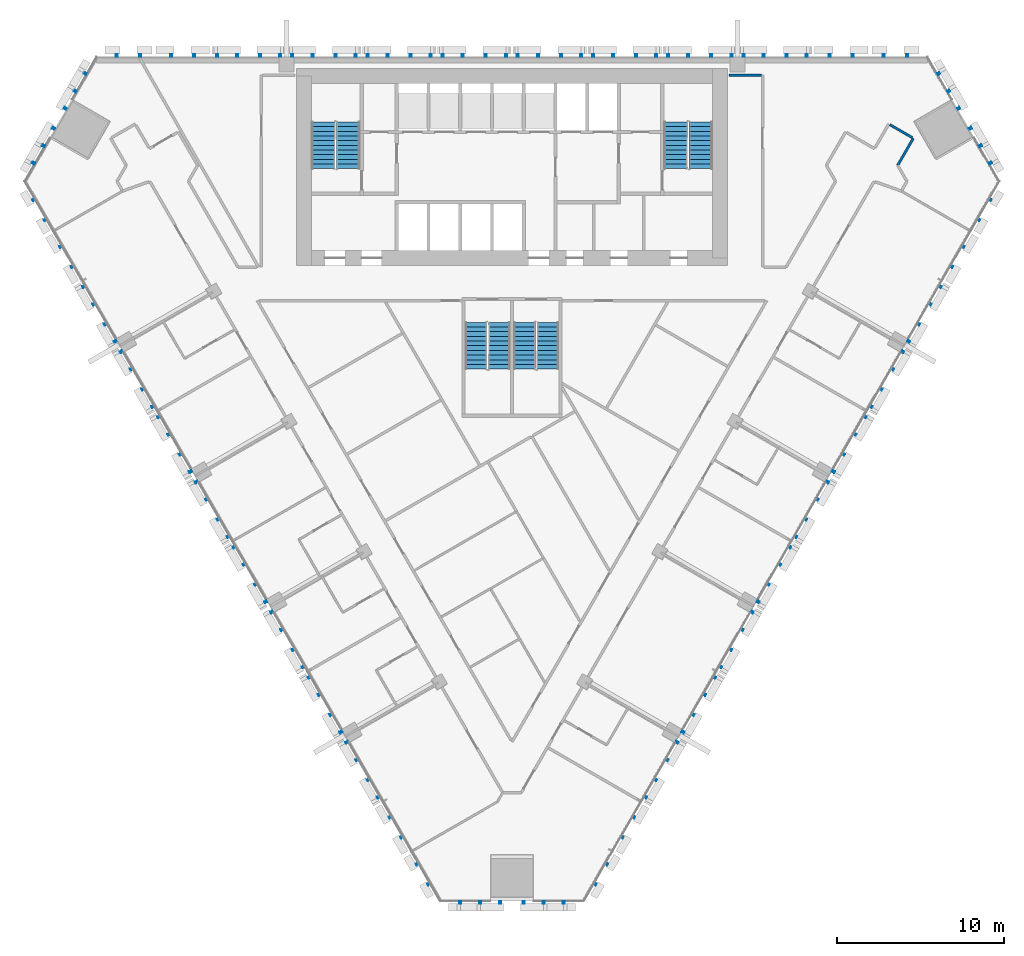
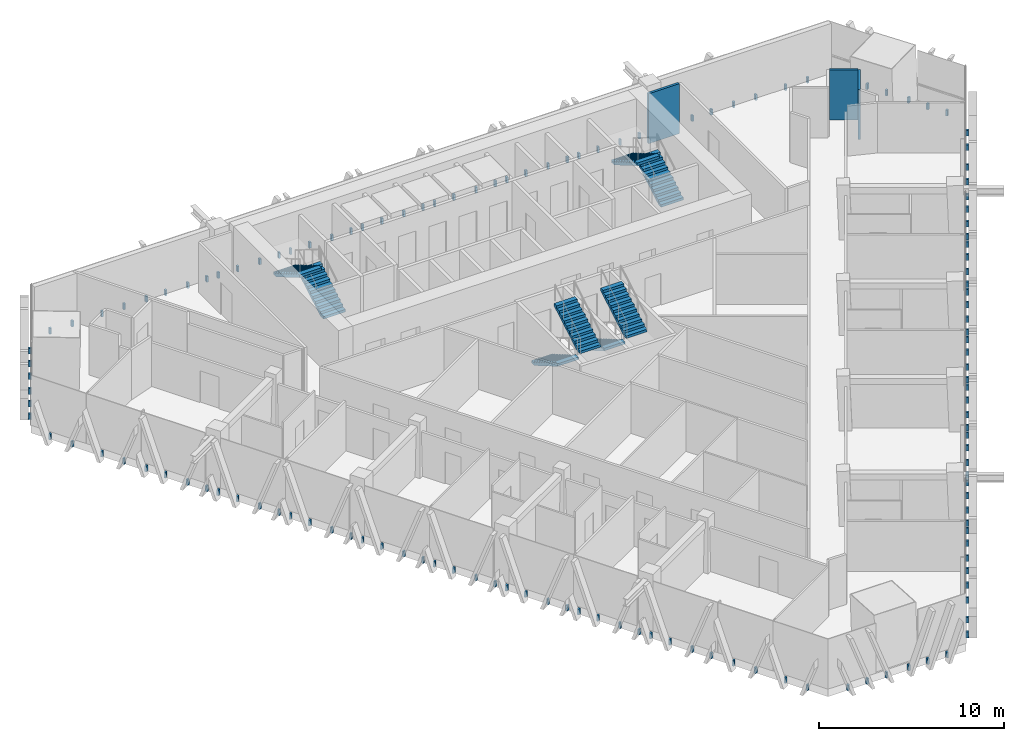
# One storey, part 12 of 15: 8 stair flights, 6 discrete accessories, 3 walls, 4 elements without a shape of their own.
"""IFC4 building model written with IfcOpenShell, lengths in metres."""

from ifc_helpers import new_model, si_unit, direction, frame, frame_2d, origin, place, context, subcontext, project, spatial, polyline, rectangle, outline, extrude, source, transform, mapped, material, layer, layer_set, type_object, element, aggregate, save


model = new_model("IFC4")

# Units and contexts
model_context = context("Model", 3, precision=1e-05, world=origin(), true_north=direction((0.0, 1.0)))
body_context = subcontext(model_context, "Body", "Model", "MODEL_VIEW")
ifc_project = project(units=[si_unit("LENGTHUNIT", "METRE"), si_unit("AREAUNIT", "SQUARE_METRE"), si_unit("VOLUMEUNIT", "CUBIC_METRE"), si_unit("PLANEANGLEUNIT", "RADIAN"), si_unit("MASSUNIT", "GRAM", prefix="KILO")], contexts=[model_context])

# Site, building, storey
site_placement = place(None, origin())
site = spatial("IfcSite", under=ifc_project, at=site_placement, CompositionType="ELEMENT")
building_placement = place(site_placement, origin())
building = spatial("IfcBuilding", under=site, at=building_placement, Name="Altiplano Prism Tower", CompositionType="ELEMENT")
storey_placement = place(building_placement, frame((0.0, 0.0, 91.800048828125)))
storey = spatial("IfcBuildingStorey", under=building, at=storey_placement, Name="L23", CompositionType="ELEMENT", Elevation=91.800048828125)

# Walls
ifc_material_1 = material(Name="Plasterboard on steel stud", Category="steel")
ifc_layer = layer(ifc_material_1, 0.14990234375)
ifc_layer_set = layer_set([ifc_layer], Name="Plasterboard on steel stud")
wall_type = type_object("IfcWallType", Name="Partition 150 corridor", PredefinedType="PARTITIONING", material=ifc_layer_set)
wall_1_placement = place(storey_placement, frame((108.089111328125, 98.5, 0.0), z_axis=(0.0, 0.0, 1.0), x_axis=(0.499951854219, 0.86605319898, 0.0)))
element("IfcWall", 1, at=wall_1_placement, inside=storey, type_object=wall_type, Name="Partition P06 L23 020", PredefinedType="PARTITIONING", context=body_context, shape_type="SweptSolid", body=[
    extrude(rectangle(XDim=1.873291015625, YDim=0.14990234375, at=frame_2d((0.9365234375, 0.0))), origin(), (0.0, 0.0, 1.0), 3.300048828125),
])
wall_2_placement = place(storey_placement, frame((108.960693359375, 100.15966796875, 0.0), z_axis=(0.0, 0.0, 1.0), x_axis=(-0.865975732936, 0.500086022567, 0.0)))
element("IfcWall", 2, at=wall_2_placement, inside=storey, type_object=wall_type, Name="Partition P06 L23 021", PredefinedType="PARTITIONING", context=body_context, shape_type="SweptSolid", body=[
    extrude(rectangle(XDim=1.550048828125, YDim=0.14990234375, at=frame_2d((0.77490234375, 0.0))), origin(), (0.0, 0.0, 1.0), 3.300048828125),
])
wall_3_placement = place(storey_placement, frame((99.925048828125, 103.89990234375, 0.0), z_axis=(0.0, 0.0, 1.0), x_axis=(-1.0, 0.0, 0.0)))
element("IfcWall", 3, at=wall_3_placement, inside=storey, type_object=wall_type, Name="Partition P06 L23 029", PredefinedType="PARTITIONING", context=body_context, shape_type="SweptSolid", body=[
    extrude(rectangle(XDim=1.925048828125, YDim=0.14990234375, at=frame_2d((0.96240234375, 0.0))), origin(), (0.0, 0.0, 1.0), 3.300048828125),
])

# Stair, stair flights
ifc_material_2 = material(Name="Concrete C40/50", Category="concrete")
stair_type_1 = type_object("IfcStairType", Name="Exit stair 1400", PredefinedType="HALF_TURN_STAIR", material=ifc_material_2)
stair_1_placement = place(storey_placement, origin())
stair_1 = element("IfcStair", 4, at=stair_1_placement, inside=storey, type_object=stair_type_1, Name="L23 Exit Stair 1", PredefinedType="HALF_TURN_STAIR")
stair_flight_type = type_object("IfcStairFlightType", Name="Stair flight concrete 150", PredefinedType="STRAIGHT", material=ifc_material_2)
stair_flight_1_placement = place(storey_placement, frame((75.199951171875, 98.300048828125, 0.0), z_axis=(0.0, 0.0, 1.0), x_axis=(0.0, 1.0, 0.0)))
stair_flight_1 = element("IfcStairFlight", 5, at=stair_flight_1_placement, type_object=stair_flight_type, Name="ST1 flight 1", NumberOfRisers=11, NumberOfTreads=10, PredefinedType="STRAIGHT", RiserHeight=0.163636364, TreadLength=0.28, context=body_context, shape_type="SweptSolid", body=[
    extrude(outline(polyline([(0.0, 0.0), (0.0, 0.16357421875), (0.280029296875, 0.16357421875), (0.280029296875, 0.327392578125), (0.56005859375, 0.327392578125), (0.56005859375, 0.490966796875), (0.840087890625, 0.490966796875), (0.840087890625, 0.654541015625), (1.1201171875, 0.654541015625), (1.1201171875, 0.818115234375), (1.39990234375, 0.818115234375), (1.39990234375, 0.98193359375), (1.679931640625, 0.98193359375), (1.679931640625, 1.1455078125), (1.9599609375, 1.1455078125), (1.9599609375, 1.30908203125), (2.239990234375, 1.30908203125), (2.239990234375, 1.47265625), (2.52001953125, 1.47265625), (2.52001953125, 1.636474609375), (2.800048828125, 1.636474609375), (2.800048828125, 1.800048828125), (2.800048828125, 1.462646484375), (0.297119140625, 0.0), (0.0, 0.0)])), frame((0.0, 0.699951171875, 0.0), z_axis=(0.0, -1.0, 0.0), x_axis=(1.0, 0.0, 0.0)), (0.0, 0.0, 1.0), 1.39990234375),
])
stair_flight_2_placement = place(storey_placement, frame((73.699951171875, 101.10009765625, 1.800048828125), z_axis=(0.0, 0.0, 1.0), x_axis=(0.0, -1.0, 0.0)))
stair_flight_2 = element("IfcStairFlight", 6, at=stair_flight_2_placement, type_object=stair_flight_type, Name="ST1 flight 2", NumberOfRisers=11, NumberOfTreads=10, PredefinedType="STRAIGHT", RiserHeight=0.163636364, TreadLength=0.28, context=body_context, shape_type="SweptSolid", body=[
    extrude(outline(polyline([(0.0, 0.0), (0.0, 0.16357421875), (0.280029296875, 0.16357421875), (0.280029296875, 0.327392578125), (0.56005859375, 0.327392578125), (0.56005859375, 0.490966796875), (0.840087890625, 0.490966796875), (0.840087890625, 0.654541015625), (1.1201171875, 0.654541015625), (1.1201171875, 0.818115234375), (1.39990234375, 0.818115234375), (1.39990234375, 0.98193359375), (1.679931640625, 0.98193359375), (1.679931640625, 1.1455078125), (1.9599609375, 1.1455078125), (1.9599609375, 1.30908203125), (2.239990234375, 1.30908203125), (2.239990234375, 1.47265625), (2.52001953125, 1.47265625), (2.52001953125, 1.636474609375), (2.800048828125, 1.636474609375), (2.800048828125, 1.800048828125), (2.800048828125, 1.462646484375), (0.297119140625, 0.0), (0.0, 0.0)])), frame((0.0, 0.699951171875, 0.0), z_axis=(0.0, -1.0, 0.0), x_axis=(1.0, 0.0, 0.0)), (0.0, 0.0, 1.0), 1.39990234375),
])
aggregate(stair_1, [stair_flight_1, stair_flight_2])

stair_2_placement = place(storey_placement, origin())
stair_2 = element("IfcStair", 7, at=stair_2_placement, inside=storey, type_object=stair_type_1, Name="L23 Exit Stair 2", PredefinedType="HALF_TURN_STAIR")
stair_flight_3_placement = place(storey_placement, frame((96.300048828125, 98.300048828125, 0.0), z_axis=(0.0, 0.0, 1.0), x_axis=(0.0, 1.0, 0.0)))
stair_flight_3 = element("IfcStairFlight", 8, at=stair_flight_3_placement, type_object=stair_flight_type, Name="ST2 flight 1", NumberOfRisers=11, NumberOfTreads=10, PredefinedType="STRAIGHT", RiserHeight=0.163636364, TreadLength=0.28, context=body_context, shape_type="SweptSolid", body=[
    extrude(outline(polyline([(0.0, 0.0), (0.0, 0.16357421875), (0.280029296875, 0.16357421875), (0.280029296875, 0.327392578125), (0.56005859375, 0.327392578125), (0.56005859375, 0.490966796875), (0.840087890625, 0.490966796875), (0.840087890625, 0.654541015625), (1.1201171875, 0.654541015625), (1.1201171875, 0.818115234375), (1.39990234375, 0.818115234375), (1.39990234375, 0.98193359375), (1.679931640625, 0.98193359375), (1.679931640625, 1.1455078125), (1.9599609375, 1.1455078125), (1.9599609375, 1.30908203125), (2.239990234375, 1.30908203125), (2.239990234375, 1.47265625), (2.52001953125, 1.47265625), (2.52001953125, 1.636474609375), (2.800048828125, 1.636474609375), (2.800048828125, 1.800048828125), (2.800048828125, 1.462646484375), (0.297119140625, 0.0), (0.0, 0.0)])), frame((0.0, 0.699951171875, 0.0), z_axis=(0.0, -1.0, 0.0), x_axis=(1.0, 0.0, 0.0)), (0.0, 0.0, 1.0), 1.39990234375),
])
stair_flight_4_placement = place(storey_placement, frame((94.800048828125, 101.10009765625, 1.800048828125), z_axis=(0.0, 0.0, 1.0), x_axis=(0.0, -1.0, 0.0)))
stair_flight_4 = element("IfcStairFlight", 9, at=stair_flight_4_placement, type_object=stair_flight_type, Name="ST2 flight 2", NumberOfRisers=11, NumberOfTreads=10, PredefinedType="STRAIGHT", RiserHeight=0.163636364, TreadLength=0.28, context=body_context, shape_type="SweptSolid", body=[
    extrude(outline(polyline([(0.0, 0.0), (0.0, 0.16357421875), (0.280029296875, 0.16357421875), (0.280029296875, 0.327392578125), (0.56005859375, 0.327392578125), (0.56005859375, 0.490966796875), (0.840087890625, 0.490966796875), (0.840087890625, 0.654541015625), (1.1201171875, 0.654541015625), (1.1201171875, 0.818115234375), (1.39990234375, 0.818115234375), (1.39990234375, 0.98193359375), (1.679931640625, 0.98193359375), (1.679931640625, 1.1455078125), (1.9599609375, 1.1455078125), (1.9599609375, 1.30908203125), (2.239990234375, 1.30908203125), (2.239990234375, 1.47265625), (2.52001953125, 1.47265625), (2.52001953125, 1.636474609375), (2.800048828125, 1.636474609375), (2.800048828125, 1.800048828125), (2.800048828125, 1.462646484375), (0.297119140625, 0.0), (0.0, 0.0)])), frame((0.0, 0.699951171875, 0.0), z_axis=(0.0, -1.0, 0.0), x_axis=(1.0, 0.0, 0.0)), (0.0, 0.0, 1.0), 1.39990234375),
])
aggregate(stair_2, [stair_flight_3, stair_flight_4])

stair_type_2 = type_object("IfcStairType", Name="Exit stair 1300", PredefinedType="HALF_TURN_STAIR", material=ifc_material_2)
stair_3_placement = place(storey_placement, origin())
stair_3 = element("IfcStair", 10, at=stair_3_placement, inside=storey, type_object=stair_type_2, Name="L23 Exit Stair 3A", PredefinedType="HALF_TURN_STAIR")
stair_flight_5_placement = place(storey_placement, frame((82.85009765625, 89.10009765625, 0.0), z_axis=(0.0, 0.0, 1.0), x_axis=(0.0, -1.0, 0.0)))
stair_flight_5 = element("IfcStairFlight", 11, at=stair_flight_5_placement, type_object=stair_flight_type, Name="ST3A flight 1", NumberOfRisers=11, NumberOfTreads=10, PredefinedType="STRAIGHT", RiserHeight=0.163636364, TreadLength=0.28, context=body_context, shape_type="SweptSolid", body=[
    extrude(outline(polyline([(0.0, 0.0), (0.0, 0.16357421875), (0.280029296875, 0.16357421875), (0.280029296875, 0.327392578125), (0.56005859375, 0.327392578125), (0.56005859375, 0.490966796875), (0.840087890625, 0.490966796875), (0.840087890625, 0.654541015625), (1.1201171875, 0.654541015625), (1.1201171875, 0.818115234375), (1.39990234375, 0.818115234375), (1.39990234375, 0.98193359375), (1.679931640625, 0.98193359375), (1.679931640625, 1.1455078125), (1.9599609375, 1.1455078125), (1.9599609375, 1.30908203125), (2.239990234375, 1.30908203125), (2.239990234375, 1.47265625), (2.52001953125, 1.47265625), (2.52001953125, 1.636474609375), (2.800048828125, 1.636474609375), (2.800048828125, 1.800048828125), (2.800048828125, 1.462646484375), (0.297119140625, 0.0), (0.0, 0.0)])), frame((0.0, 0.64990234375, 0.0), z_axis=(0.0, -1.0, 0.0), x_axis=(1.0, 0.0, 0.0)), (0.0, 0.0, 1.0), 1.300048828125),
])
stair_flight_6_placement = place(storey_placement, frame((84.25, 86.300048828125, 1.800048828125), z_axis=(0.0, 0.0, 1.0), x_axis=(0.0, 1.0, 0.0)))
stair_flight_6 = element("IfcStairFlight", 12, at=stair_flight_6_placement, type_object=stair_flight_type, Name="ST3A flight 2", NumberOfRisers=11, NumberOfTreads=10, PredefinedType="STRAIGHT", RiserHeight=0.163636364, TreadLength=0.28, context=body_context, shape_type="SweptSolid", body=[
    extrude(outline(polyline([(0.0, 0.0), (0.0, 0.16357421875), (0.280029296875, 0.16357421875), (0.280029296875, 0.327392578125), (0.56005859375, 0.327392578125), (0.56005859375, 0.490966796875), (0.840087890625, 0.490966796875), (0.840087890625, 0.654541015625), (1.1201171875, 0.654541015625), (1.1201171875, 0.818115234375), (1.39990234375, 0.818115234375), (1.39990234375, 0.98193359375), (1.679931640625, 0.98193359375), (1.679931640625, 1.1455078125), (1.9599609375, 1.1455078125), (1.9599609375, 1.30908203125), (2.239990234375, 1.30908203125), (2.239990234375, 1.47265625), (2.52001953125, 1.47265625), (2.52001953125, 1.636474609375), (2.800048828125, 1.636474609375), (2.800048828125, 1.800048828125), (2.800048828125, 1.462646484375), (0.297119140625, 0.0), (0.0, 0.0)])), frame((0.0, 0.64990234375, 0.0), z_axis=(0.0, -1.0, 0.0), x_axis=(1.0, 0.0, 0.0)), (0.0, 0.0, 1.0), 1.300048828125),
])
aggregate(stair_3, [stair_flight_5, stair_flight_6])

stair_4_placement = place(storey_placement, origin())
stair_4 = element("IfcStair", 13, at=stair_4_placement, inside=storey, type_object=stair_type_2, Name="L23 Exit Stair 3B", PredefinedType="HALF_TURN_STAIR")
stair_flight_7_placement = place(storey_placement, frame((85.75, 89.10009765625, 0.0), z_axis=(0.0, 0.0, 1.0), x_axis=(0.0, -1.0, 0.0)))
stair_flight_7 = element("IfcStairFlight", 14, at=stair_flight_7_placement, type_object=stair_flight_type, Name="ST3B flight 1", NumberOfRisers=11, NumberOfTreads=10, PredefinedType="STRAIGHT", RiserHeight=0.163636364, TreadLength=0.28, context=body_context, shape_type="SweptSolid", body=[
    extrude(outline(polyline([(0.0, 0.0), (0.0, 0.16357421875), (0.280029296875, 0.16357421875), (0.280029296875, 0.327392578125), (0.56005859375, 0.327392578125), (0.56005859375, 0.490966796875), (0.840087890625, 0.490966796875), (0.840087890625, 0.654541015625), (1.1201171875, 0.654541015625), (1.1201171875, 0.818115234375), (1.39990234375, 0.818115234375), (1.39990234375, 0.98193359375), (1.679931640625, 0.98193359375), (1.679931640625, 1.1455078125), (1.9599609375, 1.1455078125), (1.9599609375, 1.30908203125), (2.239990234375, 1.30908203125), (2.239990234375, 1.47265625), (2.52001953125, 1.47265625), (2.52001953125, 1.636474609375), (2.800048828125, 1.636474609375), (2.800048828125, 1.800048828125), (2.800048828125, 1.462646484375), (0.297119140625, 0.0), (0.0, 0.0)])), frame((0.0, 0.64990234375, 0.0), z_axis=(0.0, -1.0, 0.0), x_axis=(1.0, 0.0, 0.0)), (0.0, 0.0, 1.0), 1.300048828125),
])
stair_flight_8_placement = place(storey_placement, frame((87.14990234375, 86.300048828125, 1.800048828125), z_axis=(0.0, 0.0, 1.0), x_axis=(0.0, 1.0, 0.0)))
stair_flight_8 = element("IfcStairFlight", 15, at=stair_flight_8_placement, type_object=stair_flight_type, Name="ST3B flight 2", NumberOfRisers=11, NumberOfTreads=10, PredefinedType="STRAIGHT", RiserHeight=0.163636364, TreadLength=0.28, context=body_context, shape_type="SweptSolid", body=[
    extrude(outline(polyline([(0.0, 0.0), (0.0, 0.16357421875), (0.280029296875, 0.16357421875), (0.280029296875, 0.327392578125), (0.56005859375, 0.327392578125), (0.56005859375, 0.490966796875), (0.840087890625, 0.490966796875), (0.840087890625, 0.654541015625), (1.1201171875, 0.654541015625), (1.1201171875, 0.818115234375), (1.39990234375, 0.818115234375), (1.39990234375, 0.98193359375), (1.679931640625, 0.98193359375), (1.679931640625, 1.1455078125), (1.9599609375, 1.1455078125), (1.9599609375, 1.30908203125), (2.239990234375, 1.30908203125), (2.239990234375, 1.47265625), (2.52001953125, 1.47265625), (2.52001953125, 1.636474609375), (2.800048828125, 1.636474609375), (2.800048828125, 1.800048828125), (2.800048828125, 1.462646484375), (0.297119140625, 0.0), (0.0, 0.0)])), frame((0.0, 0.64990234375, 0.0), z_axis=(0.0, -1.0, 0.0), x_axis=(1.0, 0.0, 0.0)), (0.0, 0.0, 1.0), 1.300048828125),
])
aggregate(stair_4, [stair_flight_7, stair_flight_8])

# Discrete accessories
ifc_material_3 = material(Name="Stainless steel", Category="steel")
discrete_accessory_type = type_object("IfcDiscreteAccessoryType", Name="Stone fin fixing prongs", PredefinedType="USERDEFINED", material=ifc_material_3)
shared_shape_1 = source(origin(), body_context, "Body", "SweptSolid", [
    extrude(outline(polyline([(-0.7509765625, 0.06005859375), (-0.631103515625, 0.06005859375), (-0.631103515625, 0.43994140625), (-0.7509765625, 0.43994140625), (-0.7509765625, 0.06005859375)])), frame((0.0, 0.0, 0.0), z_axis=(0.0, -1.0, 0.0), x_axis=(1.0, 0.0, 0.0)), (0.0, 0.0, 1.0), 0.14990234375),
    extrude(outline(polyline([(0.631103515625, 0.06005859375), (0.7509765625, 0.06005859375), (0.7509765625, 0.43994140625), (0.631103515625, 0.43994140625), (0.631103515625, 0.06005859375)])), frame((0.0, 0.0, 0.0), z_axis=(0.0, -1.0, 0.0), x_axis=(1.0, 0.0, 0.0)), (0.0, 0.0, 1.0), 0.14990234375),
])
shared_shape_2 = source(origin(), body_context, "Body", "SweptSolid", [
    extrude(outline(polyline([(-0.7509765625, 0.06005859375), (-0.631103515625, 0.06005859375), (-0.631103515625, 0.43994140625), (-0.7509765625, 0.43994140625), (-0.7509765625, 0.06005859375)])), frame((0.0, 0.0, 0.0), z_axis=(0.0, -1.0, 0.0), x_axis=(1.0, 0.0, 0.0)), (0.0, 0.0, 1.0), 0.14990234375),
    extrude(outline(polyline([(0.631103515625, 0.06005859375), (0.7509765625, 0.06005859375), (0.7509765625, 0.43994140625), (0.631103515625, 0.43994140625), (0.631103515625, 0.06005859375)])), frame((0.0, 0.0, 0.0), z_axis=(0.0, -1.0, 0.0), x_axis=(1.0, 0.0, 0.0)), (0.0, 0.0, 1.0), 0.14990234375),
])
shared_shape_3 = source(origin(), body_context, "Body", "SweptSolid", [
    extrude(outline(polyline([(-1.950927734375, 0.06005859375), (-1.8310546875, 0.06005859375), (-1.8310546875, 0.43994140625), (-1.950927734375, 0.43994140625), (-1.950927734375, 0.06005859375)])), frame((0.0, 0.0, 0.0), z_axis=(0.0, -1.0, 0.0), x_axis=(1.0, 0.0, 0.0)), (0.0, 0.0, 1.0), 0.14990234375),
    extrude(outline(polyline([(-0.7509765625, 0.06005859375), (-0.631103515625, 0.06005859375), (-0.631103515625, 0.43994140625), (-0.7509765625, 0.43994140625), (-0.7509765625, 0.06005859375)])), frame((0.0, 0.0, 0.0), z_axis=(0.0, -1.0, 0.0), x_axis=(1.0, 0.0, 0.0)), (0.0, 0.0, 1.0), 0.14990234375),
    extrude(outline(polyline([(0.631103515625, 0.06005859375), (0.7509765625, 0.06005859375), (0.7509765625, 0.43994140625), (0.631103515625, 0.43994140625), (0.631103515625, 0.06005859375)])), frame((0.0, 0.0, 0.0), z_axis=(0.0, -1.0, 0.0), x_axis=(1.0, 0.0, 0.0)), (0.0, 0.0, 1.0), 0.14990234375),
    extrude(outline(polyline([(1.8310546875, 0.06005859375), (1.950927734375, 0.06005859375), (1.950927734375, 0.43994140625), (1.8310546875, 0.43994140625), (1.8310546875, 0.06005859375)])), frame((0.0, 0.0, 0.0), z_axis=(0.0, -1.0, 0.0), x_axis=(1.0, 0.0, 0.0)), (0.0, 0.0, 1.0), 0.14990234375),
])
discrete_accessory_1_placement = place(storey_placement, origin())
element("IfcDiscreteAccessory", 16, at=discrete_accessory_1_placement, inside=storey, type_object=discrete_accessory_type, Name="Fin fixings L23 north face", ObjectType="BRACKET", PredefinedType="USERDEFINED", context=body_context, shape_type="MappedRepresentation", body=[
    mapped(shared_shape_1, transform((107.959228515625, 105.0, -0.5), x_axis=(-1.0, 0.0, 0.0), y_axis=(0.0, -1.0, 0.0), z_axis=(0.0, 0.0, 1.0))),
    mapped(shared_shape_2, transform((104.7197265625, 105.0, -0.5), x_axis=(-1.0, 0.0, 0.0), y_axis=(0.0, -1.0, 0.0), z_axis=(0.0, 0.0, 1.0))),
    mapped(shared_shape_3, transform((100.75, 105.0, -0.5), x_axis=(-1.0, 0.0, 0.0), y_axis=(0.0, -1.0, 0.0), z_axis=(0.0, 0.0, 1.0))),
    mapped(shared_shape_3, transform((96.25, 105.0, -0.5), x_axis=(-1.0, 0.0, 0.0), y_axis=(0.0, -1.0, 0.0), z_axis=(0.0, 0.0, 1.0))),
    mapped(shared_shape_3, transform((91.75, 105.0, -0.5), x_axis=(-1.0, 0.0, 0.0), y_axis=(0.0, -1.0, 0.0), z_axis=(0.0, 0.0, 1.0))),
    mapped(shared_shape_3, transform((87.25, 105.0, -0.5), x_axis=(-1.0, 0.0, 0.0), y_axis=(0.0, -1.0, 0.0), z_axis=(0.0, 0.0, 1.0))),
    mapped(shared_shape_3, transform((82.75, 105.0, -0.5), x_axis=(-1.0, 0.0, 0.0), y_axis=(0.0, -1.0, 0.0), z_axis=(0.0, 0.0, 1.0))),
    mapped(shared_shape_3, transform((78.25, 105.0, -0.5), x_axis=(-1.0, 0.0, 0.0), y_axis=(0.0, -1.0, 0.0), z_axis=(0.0, 0.0, 1.0))),
    mapped(shared_shape_3, transform((73.75, 105.0, -0.5), x_axis=(-1.0, 0.0, 0.0), y_axis=(0.0, -1.0, 0.0), z_axis=(0.0, 0.0, 1.0))),
    mapped(shared_shape_3, transform((69.25, 105.0, -0.5), x_axis=(-1.0, 0.0, 0.0), y_axis=(0.0, -1.0, 0.0), z_axis=(0.0, 0.0, 1.0))),
    mapped(shared_shape_2, transform((65.2802734375, 105.0, -0.5), x_axis=(-1.0, 0.0, 0.0), y_axis=(0.0, -1.0, 0.0), z_axis=(0.0, 0.0, 1.0))),
    mapped(shared_shape_1, transform((62.040771484375, 105.0, -0.5), x_axis=(-1.0, 0.0, 0.0), y_axis=(0.0, -1.0, 0.0), z_axis=(0.0, 0.0, 1.0))),
])
shared_shape_4 = source(origin(), body_context, "Body", "SweptSolid", [
    extrude(outline(polyline([(-1.950927734375, 0.06005859375), (-1.8310546875, 0.06005859375), (-1.8310546875, 0.43994140625), (-1.950927734375, 0.43994140625), (-1.950927734375, 0.06005859375)])), frame((0.0, 0.0, 0.0), z_axis=(0.0, -1.0, 0.0), x_axis=(1.0, 0.0, 0.0)), (0.0, 0.0, 1.0), 0.14990234375),
    extrude(outline(polyline([(-0.7509765625, 0.06005859375), (-0.631103515625, 0.06005859375), (-0.631103515625, 0.43994140625), (-0.7509765625, 0.43994140625), (-0.7509765625, 0.06005859375)])), frame((0.0, 0.0, 0.0), z_axis=(0.0, -1.0, 0.0), x_axis=(1.0, 0.0, 0.0)), (0.0, 0.0, 1.0), 0.14990234375),
    extrude(outline(polyline([(0.631103515625, 0.06005859375), (0.7509765625, 0.06005859375), (0.7509765625, 0.43994140625), (0.631103515625, 0.43994140625), (0.631103515625, 0.06005859375)])), frame((0.0, 0.0, 0.0), z_axis=(0.0, -1.0, 0.0), x_axis=(1.0, 0.0, 0.0)), (0.0, 0.0, 1.0), 0.14990234375),
    extrude(outline(polyline([(1.8310546875, 0.06005859375), (1.950927734375, 0.06005859375), (1.950927734375, 0.43994140625), (1.8310546875, 0.43994140625), (1.8310546875, 0.06005859375)])), frame((0.0, 0.0, 0.0), z_axis=(0.0, -1.0, 0.0), x_axis=(1.0, 0.0, 0.0)), (0.0, 0.0, 1.0), 0.14990234375),
])
discrete_accessory_2_placement = place(storey_placement, origin())
element("IfcDiscreteAccessory", 17, at=discrete_accessory_2_placement, inside=storey, type_object=discrete_accessory_type, Name="Fin fixings L23 south-west face", ObjectType="BRACKET", PredefinedType="USERDEFINED", context=body_context, shape_type="MappedRepresentation", body=[
    mapped(shared_shape_1, transform((56.773681640625, 95.876953125, -0.5), x_axis=(0.500000011188, -0.866025397325, 0.0), y_axis=(0.866025397325, 0.500000011188, 0.0), z_axis=(0.0, 0.0, 1.0))),
    mapped(shared_shape_2, transform((58.393310546875, 93.071533203125, -0.5), x_axis=(0.500000011188, -0.866025397325, 0.0), y_axis=(0.866025397325, 0.500000011188, 0.0), z_axis=(0.0, 0.0, 1.0))),
    mapped(shared_shape_3, transform((60.378173828125, 89.6337890625, -0.5), x_axis=(0.500000011188, -0.866025397325, 0.0), y_axis=(0.866025397325, 0.500000011188, 0.0), z_axis=(0.0, 0.0, 1.0))),
    mapped(shared_shape_3, transform((62.628173828125, 85.736572265625, -0.5), x_axis=(0.500000011188, -0.866025397325, 0.0), y_axis=(0.866025397325, 0.500000011188, 0.0), z_axis=(0.0, 0.0, 1.0))),
    mapped(shared_shape_3, transform((64.878173828125, 81.839599609375, -0.5), x_axis=(0.500000011188, -0.866025397325, 0.0), y_axis=(0.866025397325, 0.500000011188, 0.0), z_axis=(0.0, 0.0, 1.0))),
    mapped(shared_shape_3, transform((67.128173828125, 77.9423828125, -0.5), x_axis=(0.500000011188, -0.866025397325, 0.0), y_axis=(0.866025397325, 0.500000011188, 0.0), z_axis=(0.0, 0.0, 1.0))),
    mapped(shared_shape_3, transform((69.378173828125, 74.045166015625, -0.5), x_axis=(0.500000011188, -0.866025397325, 0.0), y_axis=(0.866025397325, 0.500000011188, 0.0), z_axis=(0.0, 0.0, 1.0))),
    mapped(shared_shape_4, transform((71.628173828125, 70.148193359375, -0.5), x_axis=(0.500000011188, -0.866025397325, 0.0), y_axis=(0.866025397325, 0.500000011188, 0.0), z_axis=(0.0, 0.0, 1.0))),
    mapped(shared_shape_3, transform((73.878173828125, 66.2509765625, -0.5), x_axis=(0.500000011188, -0.866025397325, 0.0), y_axis=(0.866025397325, 0.500000011188, 0.0), z_axis=(0.0, 0.0, 1.0))),
    mapped(shared_shape_3, transform((76.128173828125, 62.35400390625, -0.5), x_axis=(0.500000011188, -0.866025397325, 0.0), y_axis=(0.866025397325, 0.500000011188, 0.0), z_axis=(0.0, 0.0, 1.0))),
    mapped(shared_shape_2, transform((78.113037109375, 58.916015625, -0.5), x_axis=(0.500000011188, -0.866025397325, 0.0), y_axis=(0.866025397325, 0.500000011188, 0.0), z_axis=(0.0, 0.0, 1.0))),
    mapped(shared_shape_1, transform((79.73291015625, 56.110595703125, -0.5), x_axis=(0.500000011188, -0.866025397325, 0.0), y_axis=(0.866025397325, 0.500000011188, 0.0), z_axis=(0.0, 0.0, 1.0))),
])
discrete_accessory_3_placement = place(storey_placement, origin())
element("IfcDiscreteAccessory", 18, at=discrete_accessory_3_placement, inside=storey, type_object=discrete_accessory_type, Name="Fin fixings L23 south-east face", ObjectType="BRACKET", PredefinedType="USERDEFINED", context=body_context, shape_type="MappedRepresentation", body=[
    mapped(shared_shape_1, transform((90.26708984375, 56.110595703125, -0.5), x_axis=(0.500000011188, 0.866025397325, 0.0), y_axis=(-0.866025397325, 0.500000011188, 0.0), z_axis=(0.0, 0.0, 1.0))),
    mapped(shared_shape_2, transform((91.886962890625, 58.916015625, -0.5), x_axis=(0.500000011188, 0.866025397325, 0.0), y_axis=(-0.866025397325, 0.500000011188, 0.0), z_axis=(0.0, 0.0, 1.0))),
    mapped(shared_shape_3, transform((93.871826171875, 62.35400390625, -0.5), x_axis=(0.500000011188, 0.866025397325, 0.0), y_axis=(-0.866025397325, 0.500000011188, 0.0), z_axis=(0.0, 0.0, 1.0))),
    mapped(shared_shape_3, transform((96.121826171875, 66.2509765625, -0.5), x_axis=(0.500000011188, 0.866025397325, 0.0), y_axis=(-0.866025397325, 0.500000011188, 0.0), z_axis=(0.0, 0.0, 1.0))),
    mapped(shared_shape_3, transform((98.371826171875, 70.148193359375, -0.5), x_axis=(0.500000011188, 0.866025397325, 0.0), y_axis=(-0.866025397325, 0.500000011188, 0.0), z_axis=(0.0, 0.0, 1.0))),
    mapped(shared_shape_3, transform((100.621826171875, 74.045166015625, -0.5), x_axis=(0.500000011188, 0.866025397325, 0.0), y_axis=(-0.866025397325, 0.500000011188, 0.0), z_axis=(0.0, 0.0, 1.0))),
    mapped(shared_shape_3, transform((102.871826171875, 77.9423828125, -0.5), x_axis=(0.500000011188, 0.866025397325, 0.0), y_axis=(-0.866025397325, 0.500000011188, 0.0), z_axis=(0.0, 0.0, 1.0))),
    mapped(shared_shape_4, transform((105.121826171875, 81.839599609375, -0.5), x_axis=(0.500000011188, 0.866025397325, 0.0), y_axis=(-0.866025397325, 0.500000011188, 0.0), z_axis=(0.0, 0.0, 1.0))),
    mapped(shared_shape_3, transform((107.371826171875, 85.736572265625, -0.5), x_axis=(0.500000011188, 0.866025397325, 0.0), y_axis=(-0.866025397325, 0.500000011188, 0.0), z_axis=(0.0, 0.0, 1.0))),
    mapped(shared_shape_3, transform((109.621826171875, 89.6337890625, -0.5), x_axis=(0.500000011188, 0.866025397325, 0.0), y_axis=(-0.866025397325, 0.500000011188, 0.0), z_axis=(0.0, 0.0, 1.0))),
    mapped(shared_shape_2, transform((111.606689453125, 93.071533203125, -0.5), x_axis=(0.500000011188, 0.866025397325, 0.0), y_axis=(-0.866025397325, 0.500000011188, 0.0), z_axis=(0.0, 0.0, 1.0))),
    mapped(shared_shape_1, transform((113.226318359375, 95.876953125, -0.5), x_axis=(0.500000011188, 0.866025397325, 0.0), y_axis=(-0.866025397325, 0.500000011188, 0.0), z_axis=(0.0, 0.0, 1.0))),
])
shared_shape_5 = source(origin(), body_context, "Body", "SweptSolid", [
    extrude(outline(polyline([(-3.15087890625, 0.06005859375), (-3.031005859375, 0.06005859375), (-3.031005859375, 0.43994140625), (-3.15087890625, 0.43994140625), (-3.15087890625, 0.06005859375)])), frame((0.0, 0.0, 0.0), z_axis=(0.0, -1.0, 0.0), x_axis=(1.0, 0.0, 0.0)), (0.0, 0.0, 1.0), 0.14990234375),
    extrude(outline(polyline([(-1.950927734375, 0.06005859375), (-1.8310546875, 0.06005859375), (-1.8310546875, 0.43994140625), (-1.950927734375, 0.43994140625), (-1.950927734375, 0.06005859375)])), frame((0.0, 0.0, 0.0), z_axis=(0.0, -1.0, 0.0), x_axis=(1.0, 0.0, 0.0)), (0.0, 0.0, 1.0), 0.14990234375),
    extrude(outline(polyline([(-0.7509765625, 0.06005859375), (-0.631103515625, 0.06005859375), (-0.631103515625, 0.43994140625), (-0.7509765625, 0.43994140625), (-0.7509765625, 0.06005859375)])), frame((0.0, 0.0, 0.0), z_axis=(0.0, -1.0, 0.0), x_axis=(1.0, 0.0, 0.0)), (0.0, 0.0, 1.0), 0.14990234375),
    extrude(outline(polyline([(0.631103515625, 0.06005859375), (0.7509765625, 0.06005859375), (0.7509765625, 0.43994140625), (0.631103515625, 0.43994140625), (0.631103515625, 0.06005859375)])), frame((0.0, 0.0, 0.0), z_axis=(0.0, -1.0, 0.0), x_axis=(1.0, 0.0, 0.0)), (0.0, 0.0, 1.0), 0.14990234375),
    extrude(outline(polyline([(1.8310546875, 0.06005859375), (1.950927734375, 0.06005859375), (1.950927734375, 0.43994140625), (1.8310546875, 0.43994140625), (1.8310546875, 0.06005859375)])), frame((0.0, 0.0, 0.0), z_axis=(0.0, -1.0, 0.0), x_axis=(1.0, 0.0, 0.0)), (0.0, 0.0, 1.0), 0.14990234375),
    extrude(outline(polyline([(3.031005859375, 0.06005859375), (3.15087890625, 0.06005859375), (3.15087890625, 0.43994140625), (3.031005859375, 0.43994140625), (3.031005859375, 0.06005859375)])), frame((0.0, 0.0, 0.0), z_axis=(0.0, -1.0, 0.0), x_axis=(1.0, 0.0, 0.0)), (0.0, 0.0, 1.0), 0.14990234375),
])
discrete_accessory_4_placement = place(storey_placement, origin())
element("IfcDiscreteAccessory", 19, at=discrete_accessory_4_placement, inside=storey, type_object=discrete_accessory_type, Name="Fin fixings L23 north-west chamfer", ObjectType="BRACKET", PredefinedType="USERDEFINED", context=body_context, shape_type="MappedRepresentation", body=[
    mapped(shared_shape_5, transform((57.967529296875, 101.269775390625, -0.5), x_axis=(-0.500000023969, -0.866025389946, 0.0), y_axis=(0.866025389946, -0.500000023969, 0.0), z_axis=(0.0, 0.0, 1.0))),
])
discrete_accessory_5_placement = place(storey_placement, origin())
element("IfcDiscreteAccessory", 20, at=discrete_accessory_5_placement, inside=storey, type_object=discrete_accessory_type, Name="Fin fixings L23 south chamfer", ObjectType="BRACKET", PredefinedType="USERDEFINED", context=body_context, shape_type="MappedRepresentation", body=[
    mapped(shared_shape_5, transform((85.0, 54.447998046875, -0.5), x_axis=(1.0, 0.0, 0.0), y_axis=(0.0, 1.0, 0.0), z_axis=(0.0, 0.0, 1.0))),
])
discrete_accessory_6_placement = place(storey_placement, origin())
element("IfcDiscreteAccessory", 21, at=discrete_accessory_6_placement, inside=storey, type_object=discrete_accessory_type, Name="Fin fixings L23 north-east chamfer", ObjectType="BRACKET", PredefinedType="USERDEFINED", context=body_context, shape_type="MappedRepresentation", body=[
    mapped(shared_shape_5, transform((112.032470703125, 101.269775390625, -0.5), x_axis=(-0.500000023969, 0.866025389946, 0.0), y_axis=(-0.866025389946, -0.500000023969, 0.0), z_axis=(0.0, 0.0, 1.0))),
])

save(model, "model.ifc")
